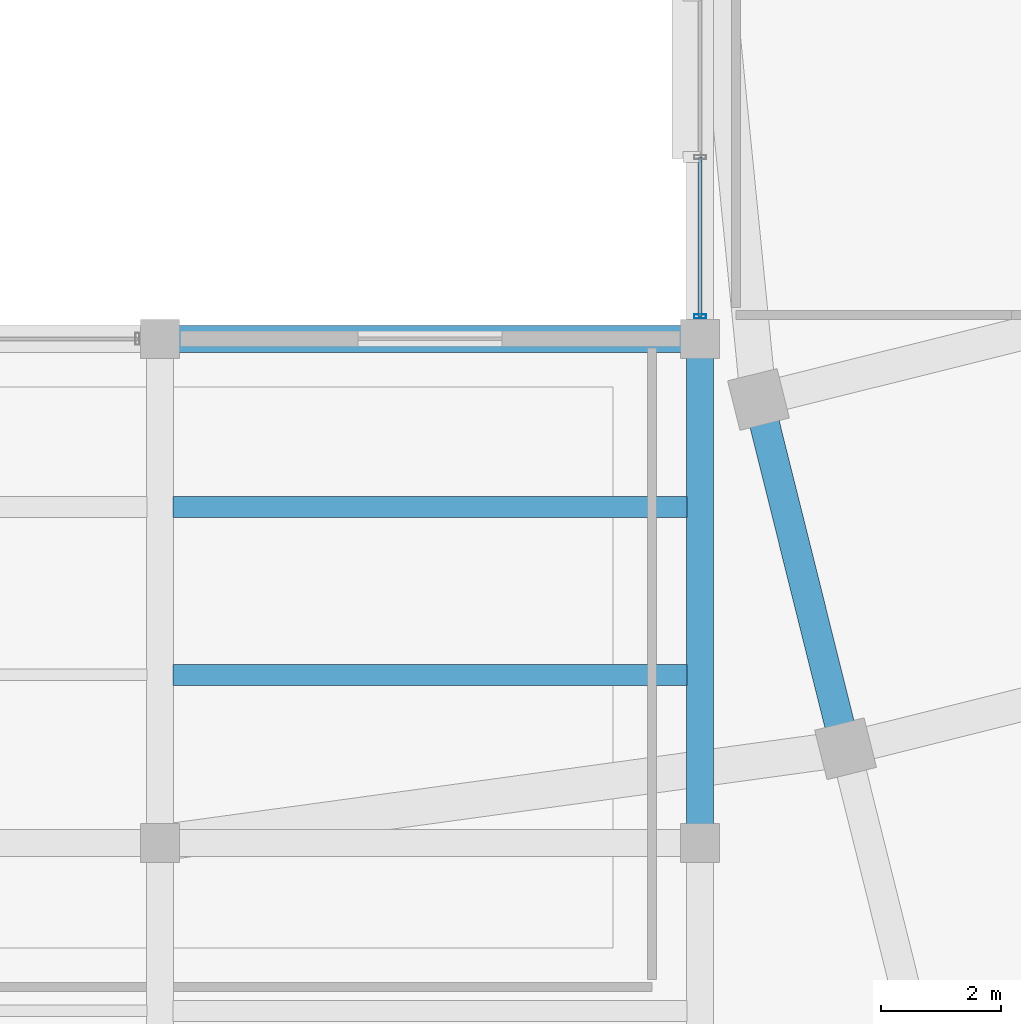
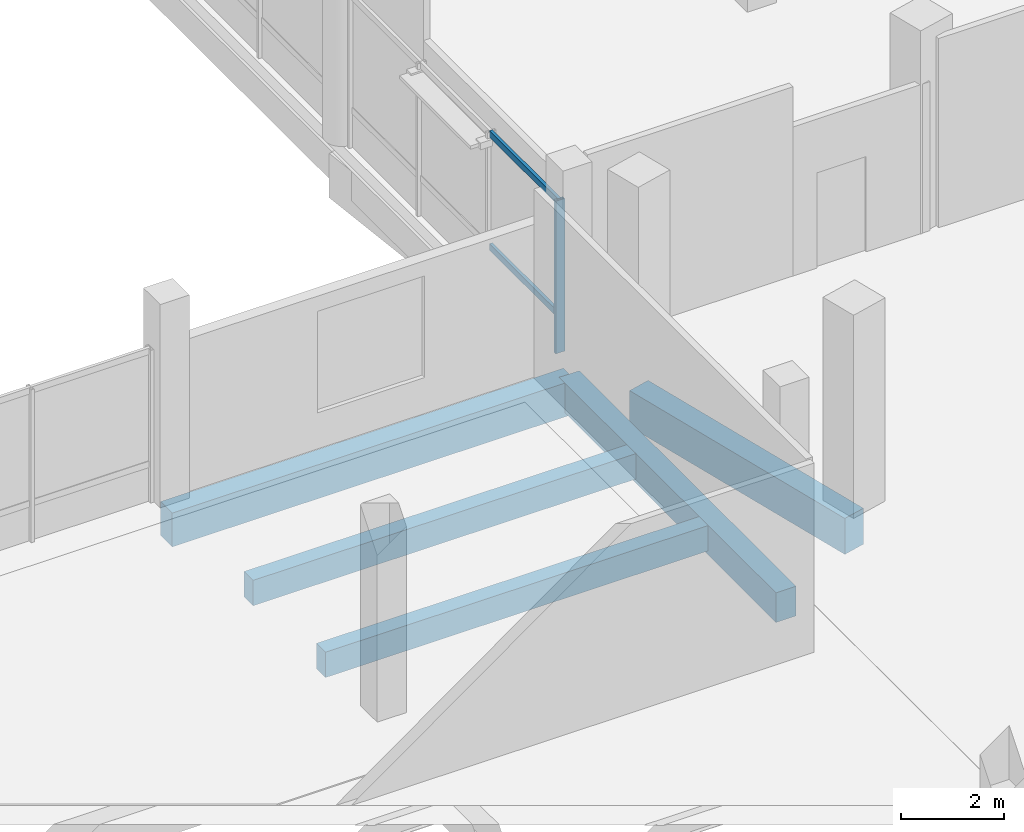
# One storey, part 29 of 71: 5 beams, 3 members, 1 element without a shape of its own.
"""IFC4 building model written with IfcOpenShell, lengths in metres."""

from ifc_helpers import new_model, si_unit, direction, frame, origin, origin_2d, place, context, subcontext, project, spatial, rectangle, hollow_rectangle, extrude, material, layer, layer_set, material_profile, profile_set, type_object, element, aggregate, save


model = new_model("IFC4")

# Units and contexts
model_context = context("Model", 3, precision=1e-05, world=origin(), true_north=direction((0.0, 1.0)))
body_context = subcontext(model_context, "Body", "Model", "MODEL_VIEW")
ifc_project = project(units=[si_unit("LENGTHUNIT", "METRE"), si_unit("AREAUNIT", "SQUARE_METRE"), si_unit("VOLUMEUNIT", "CUBIC_METRE"), si_unit("PLANEANGLEUNIT", "RADIAN"), si_unit("MASSUNIT", "GRAM", prefix="KILO")], contexts=[model_context])

# Site, building, storey
site_placement = place(None, origin())
site = spatial("IfcSite", under=ifc_project, at=site_placement, CompositionType="ELEMENT")
building_placement = place(site_placement, origin())
building = spatial("IfcBuilding", under=site, at=building_placement, Name="Meriwether Solvik Hall", CompositionType="ELEMENT")
storey_placement = place(building_placement, frame((0.0, 0.0, 5.10009765625)))
storey = spatial("IfcBuildingStorey", under=building, at=storey_placement, Name="L01", CompositionType="ELEMENT", Elevation=5.10009765625)

# Beams
ifc_material_1 = material(Name="Concrete C40/50", Category="concrete")
ifc_material_profile_1 = material_profile(ifc_material_1, rectangle(XDim=0.35009765625, YDim=0.60009765625, at=origin_2d()), Name="RCB-350X600")
ifc_profile_set_1 = profile_set([ifc_material_profile_1], Name="Concrete C40/50")
beam_type_1 = type_object("IfcBeamType", Name="BM-RC-350X600", PredefinedType="JOIST", material=ifc_profile_set_1)
for number, where, z_axis, x_axis, name in (
    (1, (50.6201171875, 69.60009765625, -0.60009765625), (1.0, 0.0, 0.0), (0.0, 1.0, 0.0), "Secondary Floor Joist 6/H_J1 (L01)"),
    (2, (50.6201171875, 72.39990234375, -0.60009765625), (1.0, 0.0, 0.0), (0.0, 1.0, 0.0), "Secondary Floor Joist 6/H_J2 (L01)"),
):
    element("IfcBeam", number, at=place(storey_placement, frame(where, z_axis=z_axis, x_axis=x_axis)), inside=storey, type_object=beam_type_1, Name=name, PredefinedType="JOIST", context=body_context, shape_type="SweptSolid", body=[
        extrude(rectangle(XDim=0.35009765625, YDim=0.60009765625, at=origin_2d()), origin(), (0.0, 0.0, 1.0), 8.559814453125),
    ])
ifc_material_2 = material(Name="Concrete C40/50", Category="concrete")
ifc_material_profile_2 = material_profile(ifc_material_2, rectangle(XDim=0.449951171875, YDim=0.699951171875, at=origin_2d()), Name="RCB-450X700")
ifc_profile_set_2 = profile_set([ifc_material_profile_2], Name="Concrete C40/50")
beam_type_2 = type_object("IfcBeamType", Name="BM-RC-450X700", PredefinedType="BEAM", material=ifc_profile_set_2)
beam_1_placement = place(storey_placement, frame((59.39990234375, 66.800048828125, -0.650146484375), z_axis=(0.0, 1.0, 0.0), x_axis=(-1.0, 0.0, 0.0)))
element("IfcBeam", 3, at=beam_1_placement, inside=storey, type_object=beam_type_2, Name="Podium Girder 7:H-I (L01)", PredefinedType="BEAM", context=body_context, shape_type="SweptSolid", body=[
    extrude(rectangle(XDim=0.449951171875, YDim=0.699951171875, at=origin_2d()), origin(), (0.0, 0.0, 1.0), 8.39990234375),
])
ifc_material_3 = material(Name="Concrete C40/50", Category="concrete")
ifc_material_profile_3 = material_profile(ifc_material_3, rectangle(XDim=0.449951171875, YDim=0.800048828125, at=origin_2d()), Name="RCB-450X800")
ifc_profile_set_3 = profile_set([ifc_material_profile_3], Name="Concrete C40/50")
beam_type_3 = type_object("IfcBeamType", Name="BM-RC-450X800", PredefinedType="BEAM", material=ifc_profile_set_3)
beam_2_placement = place(storey_placement, frame((50.39990234375, 75.199951171875, -0.7001953125), z_axis=(1.0, 0.0, 0.0), x_axis=(0.0, 1.0, 0.0)))
element("IfcBeam", 4, at=beam_2_placement, inside=storey, type_object=beam_type_3, Name="Podium Girder I:6-7 (L01)", PredefinedType="BEAM", context=body_context, shape_type="SweptSolid", body=[
    extrude(rectangle(XDim=0.449951171875, YDim=0.800048828125, at=origin_2d()), origin(), (0.0, 0.0, 1.0), 9.0),
])
ifc_material_4 = material(Name="Concrete C40/50", Category="concrete")
ifc_material_profile_4 = material_profile(ifc_material_4, rectangle(XDim=0.5, YDim=0.85009765625, at=origin_2d()), Name="RCB-500X850")
ifc_profile_set_4 = profile_set([ifc_material_profile_4], Name="Concrete C40/50")
beam_type_4 = type_object("IfcBeamType", Name="BM-RC-500X850", PredefinedType="BEAM", material=ifc_profile_set_4)
beam_3_placement = place(storey_placement, frame((61.826171875, 68.3681640625, -0.72509765625), z_axis=(-0.241903677572, 0.970300268359, 0.0), x_axis=(-0.970300268359, -0.241903677572, 0.0)))
element("IfcBeam", 5, at=beam_3_placement, inside=storey, type_object=beam_type_4, Name="Tower Girder T1:TE-TF (L01)", PredefinedType="BEAM", context=body_context, shape_type="SweptSolid", body=[
    extrude(rectangle(XDim=0.5, YDim=0.85009765625, at=origin_2d()), origin(), (0.0, 0.0, 1.0), 6.0),
])

# Curtain wall, members
ifc_material_5 = material(Name="Thermally Broken Anodised Aluminium 6063-T6 and Low-E Glass", Category="aluminium")
ifc_layer = layer(ifc_material_5, 0.179931640625)
ifc_layer_set = layer_set([ifc_layer], Name="Thermally Broken Anodised Aluminium 6063-T6 and Low-E Glass")
curtain_wall_type = type_object("IfcCurtainWallType", Name="CW-SF-POD-B", PredefinedType="USERDEFINED", material=ifc_layer_set)
curtain_wall_placement = place(storey_placement, origin())
curtain_wall = element("IfcCurtainWall", 6, at=curtain_wall_placement, inside=storey, type_object=curtain_wall_type, Name="Curtain Wall wing_Y7_9_44 (L01)", ObjectType="STICK STOREFRONT GLAZING", PredefinedType="USERDEFINED")
ifc_material_6 = material(Name="Anodised Aluminium 6063-T6", Category="aluminium")
ifc_material_profile_5 = material_profile(ifc_material_6, hollow_rectangle(XDim=0.070068359375, YDim=0.199951171875, WallThickness=0.0048828125, at=origin_2d()), Name="CWM-70X200")
ifc_profile_set_5 = profile_set([ifc_material_profile_5], Name="Anodised Aluminium 6063-T6")
member_type_1 = type_object("IfcMemberType", Name="CW-MUL-70X200", PredefinedType="MULLION", material=ifc_profile_set_5)
member_1_placement = place(storey_placement, frame((59.39990234375, 75.574951171875, 0.0), z_axis=(0.0, 0.0, 1.0), x_axis=(0.0, 1.0, 0.0)))
member_1 = element("IfcMember", 7, at=member_1_placement, type_object=member_type_1, Name="Curtain Wall Mullion 1", PredefinedType="MULLION", context=body_context, shape_type="SweptSolid", body=[
    extrude(hollow_rectangle(XDim=0.070068359375, YDim=0.199951171875, WallThickness=0.0048828125, at=origin_2d()), origin(), (0.0, 0.0, 1.0), 3.60986328125),
])
ifc_material_7 = material(Name="Anodised Aluminium 6063-T6", Category="aluminium")
ifc_material_profile_6 = material_profile(ifc_material_7, hollow_rectangle(XDim=0.070068359375, YDim=0.14990234375, WallThickness=0.0048828125, at=origin_2d()), Name="CWT-70X150")
ifc_profile_set_6 = profile_set([ifc_material_profile_6], Name="Anodised Aluminium 6063-T6")
member_type_2 = type_object("IfcMemberType", Name="CW-TRN-70X150", PredefinedType="USERDEFINED", material=ifc_profile_set_6)
member_2_placement = place(storey_placement, frame((59.39990234375, 75.574951171875, 0.8798828125), z_axis=(0.0, 1.0, 0.0), x_axis=(-1.0, 0.0, 0.0)))
member_2 = element("IfcMember", 8, at=member_2_placement, type_object=member_type_2, Name="Curtain Wall Transom 1-sill", ObjectType="TRANSOM", PredefinedType="USERDEFINED", context=body_context, shape_type="SweptSolid", body=[
    extrude(hollow_rectangle(XDim=0.070068359375, YDim=0.14990234375, WallThickness=0.0048828125, at=origin_2d()), origin(), (0.0, 0.0, 1.0), 2.654052734375),
])
member_3_placement = place(storey_placement, frame((59.39990234375, 75.574951171875, 3.5498046875), z_axis=(0.0, 1.0, 0.0), x_axis=(-1.0, 0.0, 0.0)))
member_3 = element("IfcMember", 9, at=member_3_placement, type_object=member_type_2, Name="Curtain Wall Transom 1-head", ObjectType="TRANSOM", PredefinedType="USERDEFINED", context=body_context, shape_type="SweptSolid", body=[
    extrude(hollow_rectangle(XDim=0.070068359375, YDim=0.14990234375, WallThickness=0.0048828125, at=origin_2d()), origin(), (0.0, 0.0, 1.0), 2.654052734375),
])
aggregate(curtain_wall, [member_1, member_2, member_3])

save(model, "model.ifc")
